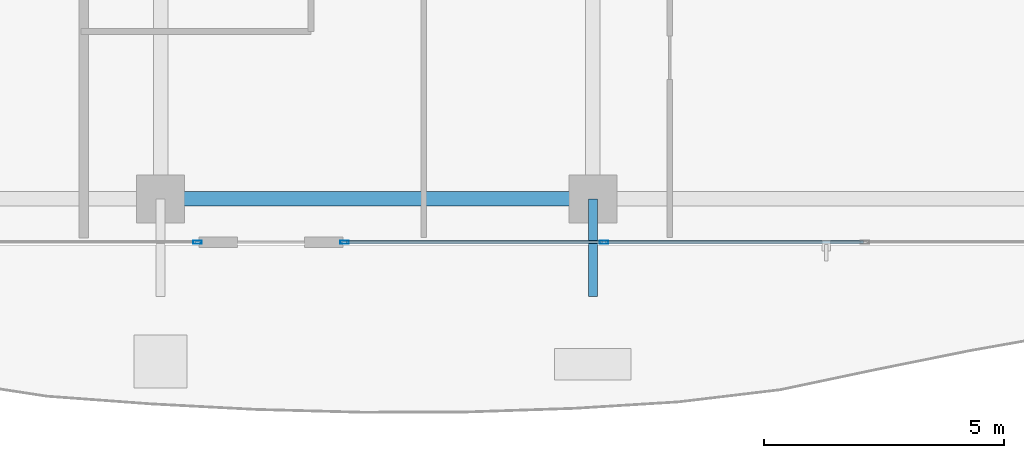
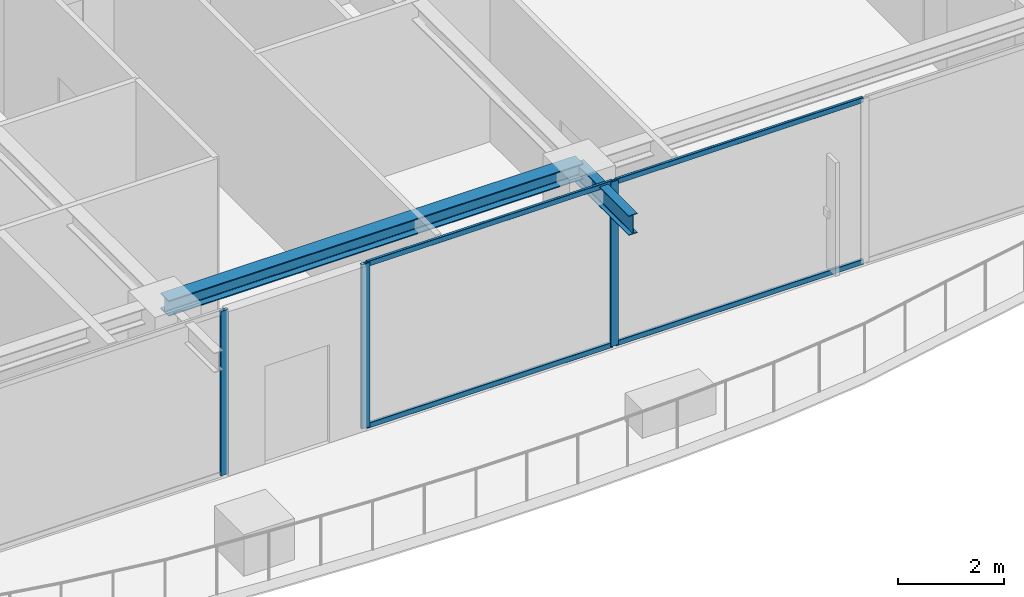
# One storey, part 6 of 42: 7 members, 2 beams, 2 elements without a shape of their own.
"""IFC4 building model written with IfcOpenShell, lengths in metres."""

from ifc_helpers import new_model, si_unit, direction, frame, origin, origin_2d, place, context, subcontext, project, spatial, hollow_rectangle, i_section, extrude, source, transform, mapped, material, layer, layer_set, material_profile, profile_set, type_object, element, aggregate, save


model = new_model("IFC4")

# Units and contexts
model_context = context("Model", 3, precision=1e-05, world=origin(), true_north=direction((0.0, 1.0)))
body_context = subcontext(model_context, "Body", "Model", "MODEL_VIEW")
ifc_project = project(units=[si_unit("LENGTHUNIT", "METRE"), si_unit("AREAUNIT", "SQUARE_METRE"), si_unit("VOLUMEUNIT", "CUBIC_METRE"), si_unit("PLANEANGLEUNIT", "RADIAN"), si_unit("MASSUNIT", "GRAM", prefix="KILO")], contexts=[model_context])

# Site, building, storey
site_placement = place(None, origin())
site = spatial("IfcSite", under=ifc_project, at=site_placement, CompositionType="ELEMENT")
building_placement = place(site_placement, origin())
building = spatial("IfcBuilding", under=site, at=building_placement, Name="Serunith Strait Residences", CompositionType="ELEMENT")
storey_placement = place(building_placement, frame((0.0, 0.0, 325.85009765625)))
storey = spatial("IfcBuildingStorey", under=building, at=storey_placement, Name="L81", CompositionType="ELEMENT", Elevation=325.85009765625)

# Beams
ifc_material_1 = material(Name="Steel S355J2", Category="steel")
ifc_material_profile_1 = material_profile(ifc_material_1, i_section(OverallWidth=0.300048828125, OverallDepth=0.360107421875, WebThickness=0.012451171875, FlangeThickness=0.0224609375, FilletRadius=0.027099609375, at=origin_2d()), Name="HEB 360")
ifc_profile_set_1 = profile_set([ifc_material_profile_1], Name="Steel S355J2")
beam_type_1 = type_object("IfcBeamType", Name="BM-HEB360", PredefinedType="BEAM", material=ifc_profile_set_1)
shared_shape_1 = source(origin(), body_context, "Body", "SweptSolid", [
    extrude(i_section(OverallWidth=0.300048828125, OverallDepth=0.360107421875, WebThickness=0.012451171875, FlangeThickness=0.0224609375, FilletRadius=0.027099609375, at=origin_2d()), origin(), (0.0, 0.0, 1.0), 9.0),
])
beam_1_placement = place(storey_placement, frame((27.89990234375, 3.300048828125, 3.60693359375), z_axis=(1.0, 0.0, 0.0), x_axis=(0.0, 1.0, 0.0)))
element("IfcBeam", 1, at=beam_1_placement, inside=storey, type_object=beam_type_1, Name="L81 Perimeter Ring Beam 02", PredefinedType="BEAM", context=body_context, shape_type="MappedRepresentation", body=[
    mapped(shared_shape_1, transform((0.0, 0.0, 0.0), scale=1.0)),
])
ifc_material_profile_2 = material_profile(ifc_material_1, i_section(OverallWidth=0.18994140625, OverallDepth=0.449951171875, WebThickness=0.009521484375, FlangeThickness=0.0146484375, FilletRadius=0.02099609375, at=origin_2d()), Name="IPE 450")
ifc_profile_set_2 = profile_set([ifc_material_profile_2], Name="Steel S355J2")
beam_type_2 = type_object("IfcBeamType", Name="BM-IPE450", PredefinedType="JOIST", material=ifc_profile_set_2)
shared_shape_2 = source(origin(), body_context, "Body", "SweptSolid", [
    extrude(i_section(OverallWidth=0.18994140625, OverallDepth=0.449951171875, WebThickness=0.009521484375, FlangeThickness=0.0146484375, FilletRadius=0.02099609375, at=origin_2d()), origin(), (0.0, 0.0, 1.0), 2.030029296875),
])
beam_2_placement = place(storey_placement, frame((36.89990234375, 3.300048828125, 3.531982421875), z_axis=(0.0, -1.0, 0.0), x_axis=(1.0, 0.0, 0.0)))
element("IfcBeam", 2, at=beam_2_placement, inside=storey, type_object=beam_type_2, Name="L82 Cantilevered Balcony Rib TC-S3", PredefinedType="JOIST", context=body_context, shape_type="MappedRepresentation", body=[
    mapped(shared_shape_2, transform((0.0, 0.0, 0.0), scale=1.0)),
])

# Curtain wall, member
ifc_material_2 = material(Name="Brushed Stainless-Silver Aluminium", Category="aluminium")
ifc_layer = layer(ifc_material_2, 0.199951171875, Name="Brushed Stainless-Silver Aluminium")
ifc_layer_set = layer_set([ifc_layer], Name="Brushed Stainless-Silver Aluminium")
curtain_wall_type = type_object("IfcCurtainWallType", Name="CW-SYS5", PredefinedType="NOTDEFINED", material=ifc_layer_set)
curtain_wall_1_placement = place(storey_placement, origin())
curtain_wall_1 = element("IfcCurtainWall", 3, at=curtain_wall_1_placement, inside=storey, type_object=curtain_wall_type, Name="L81 S Unitised Fritted Curtain Wall", PredefinedType="NOTDEFINED")
ifc_material_profile_3 = material_profile(ifc_material_2, hollow_rectangle(XDim=0.06494140625, YDim=0.179931640625, WallThickness=0.00341796875, InnerFilletRadius=0.00537109375, OuterFilletRadius=0.0087890625, at=origin_2d()), Name="ALU 180x65x3.5")
ifc_profile_set_3 = profile_set([ifc_material_profile_3], Name="Brushed Stainless-Silver Aluminium")
member_type_1 = type_object("IfcMemberType", Name="CW-SYS5-MULL", PredefinedType="MULLION", material=ifc_profile_set_3)
shared_shape_3 = source(origin(), body_context, "Body", "SweptSolid", [
    extrude(hollow_rectangle(XDim=0.06494140625, YDim=0.179931640625, WallThickness=0.00341796875, InnerFilletRadius=0.00537109375, OuterFilletRadius=0.0087890625, at=origin_2d()), origin(), (0.0, 0.0, 1.0), 3.77490234375),
])
member_1_placement = place(storey_placement, frame((28.66748046875, 2.39990234375, 0.0), z_axis=(0.0, 0.0, 1.0), x_axis=(0.0, 1.0, 0.0)))
member_1 = element("IfcMember", 4, at=member_1_placement, type_object=member_type_1, Name="CW-5 mullion 3", PredefinedType="MULLION", context=body_context, shape_type="MappedRepresentation", body=[
    mapped(shared_shape_3, transform((0.0, 0.0, 0.0), scale=1.0)),
])
aggregate(curtain_wall_1, [member_1])

# Curtain wall, members
curtain_wall_2_placement = place(storey_placement, origin())
curtain_wall_2 = element("IfcCurtainWall", 5, at=curtain_wall_2_placement, inside=storey, type_object=curtain_wall_type, Name="L81 S Unitised Fritted Curtain Wall", PredefinedType="NOTDEFINED")
member_2_placement = place(storey_placement, frame((31.732421875, 2.39990234375, 0.0), z_axis=(0.0, 0.0, 1.0), x_axis=(0.0, 1.0, 0.0)))
member_2 = element("IfcMember", 6, at=member_2_placement, type_object=member_type_1, Name="CW-5 mullion 1", PredefinedType="MULLION", context=body_context, shape_type="MappedRepresentation", body=[
    mapped(shared_shape_3, transform((0.0, 0.0, 0.0), scale=1.0)),
])
member_3_placement = place(storey_placement, frame((37.13330078125, 2.39990234375, 0.0), z_axis=(0.0, 0.0, 1.0), x_axis=(0.0, 1.0, 0.0)))
member_3 = element("IfcMember", 7, at=member_3_placement, type_object=member_type_1, Name="CW-5 mullion 2", PredefinedType="MULLION", context=body_context, shape_type="MappedRepresentation", body=[
    mapped(shared_shape_3, transform((0.0, 0.0, 0.0), scale=1.0)),
])
ifc_material_profile_4 = material_profile(ifc_material_2, hollow_rectangle(XDim=0.06005859375, YDim=0.1201171875, WallThickness=0.00341796875, InnerFilletRadius=0.00537109375, OuterFilletRadius=0.0087890625, at=origin_2d()), Name="ALU 120x60x3.5")
ifc_profile_set_4 = profile_set([ifc_material_profile_4], Name="Brushed Stainless-Silver Aluminium")
member_type_2 = type_object("IfcMemberType", Name="CW-SYS5-TRAN", PredefinedType="USERDEFINED", material=ifc_profile_set_4)
shared_shape_4 = source(origin(), body_context, "Body", "SweptSolid", [
    extrude(hollow_rectangle(XDim=0.06005859375, YDim=0.1201171875, WallThickness=0.00341796875, InnerFilletRadius=0.00537109375, OuterFilletRadius=0.0087890625, at=origin_2d()), origin(), (0.0, 0.0, 1.0), 5.3359375),
])
member_4_placement = place(storey_placement, frame((31.764892578125, 2.39990234375, 0.02978515625), z_axis=(1.0, 0.0, 0.0), x_axis=(0.0, 1.0, 0.0)))
member_4 = element("IfcMember", 8, at=member_4_placement, type_object=member_type_2, Name="CW-5 transom 1.1", ObjectType="TRANSOM", PredefinedType="USERDEFINED", context=body_context, shape_type="MappedRepresentation", body=[
    mapped(shared_shape_4, transform((0.0, 0.0, 0.0), scale=1.0)),
])
member_5_placement = place(storey_placement, frame((31.764892578125, 2.39990234375, 3.744873046875), z_axis=(1.0, 0.0, 0.0), x_axis=(0.0, 1.0, 0.0)))
member_5 = element("IfcMember", 9, at=member_5_placement, type_object=member_type_2, Name="CW-5 transom 1.2", ObjectType="TRANSOM", PredefinedType="USERDEFINED", context=body_context, shape_type="MappedRepresentation", body=[
    mapped(shared_shape_4, transform((0.0, 0.0, 0.0), scale=1.0)),
])
shared_shape_5 = source(origin(), body_context, "Body", "SweptSolid", [
    extrude(hollow_rectangle(XDim=0.06005859375, YDim=0.1201171875, WallThickness=0.00341796875, InnerFilletRadius=0.00537109375, OuterFilletRadius=0.0087890625, at=origin_2d()), origin(), (0.0, 0.0, 1.0), 5.368408203125),
])
member_6_placement = place(storey_placement, frame((37.165771484375, 2.39990234375, 0.02978515625), z_axis=(1.0, 0.0, 0.0), x_axis=(0.0, 1.0, 0.0)))
member_6 = element("IfcMember", 10, at=member_6_placement, type_object=member_type_2, Name="CW-5 transom 2.1", ObjectType="TRANSOM", PredefinedType="USERDEFINED", context=body_context, shape_type="MappedRepresentation", body=[
    mapped(shared_shape_5, transform((0.0, 0.0, 0.0), scale=1.0)),
])
member_7_placement = place(storey_placement, frame((37.165771484375, 2.39990234375, 3.744873046875), z_axis=(1.0, 0.0, 0.0), x_axis=(0.0, 1.0, 0.0)))
member_7 = element("IfcMember", 11, at=member_7_placement, type_object=member_type_2, Name="CW-5 transom 2.2", ObjectType="TRANSOM", PredefinedType="USERDEFINED", context=body_context, shape_type="MappedRepresentation", body=[
    mapped(shared_shape_5, transform((0.0, 0.0, 0.0), scale=1.0)),
])
aggregate(curtain_wall_2, [member_2, member_3, member_4, member_5, member_6, member_7])

save(model, "model.ifc")
